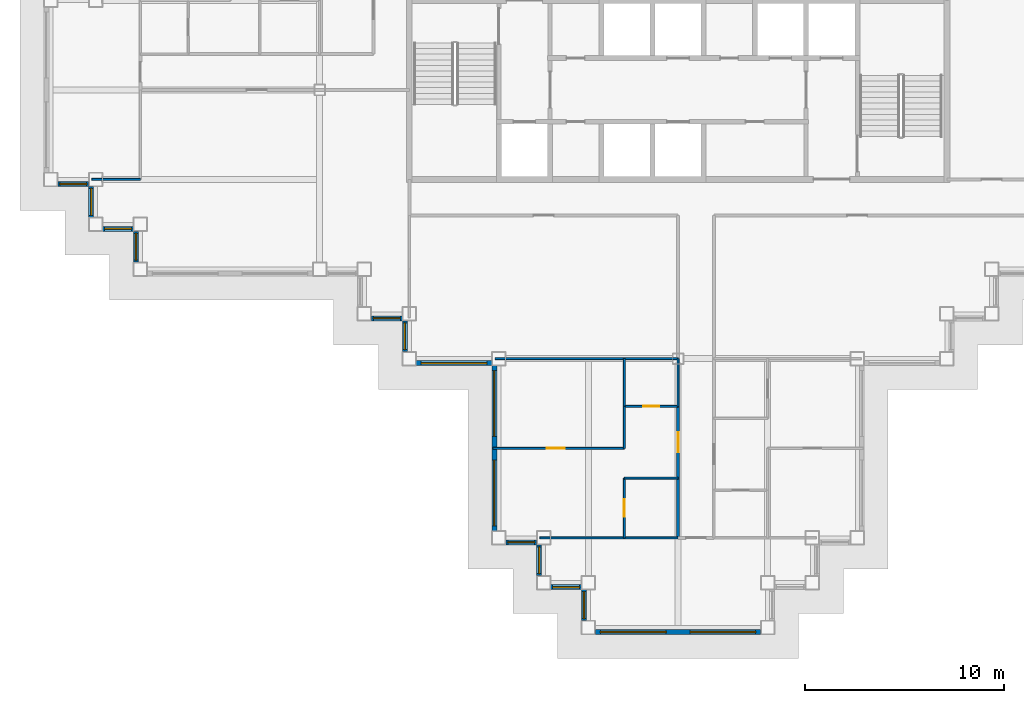
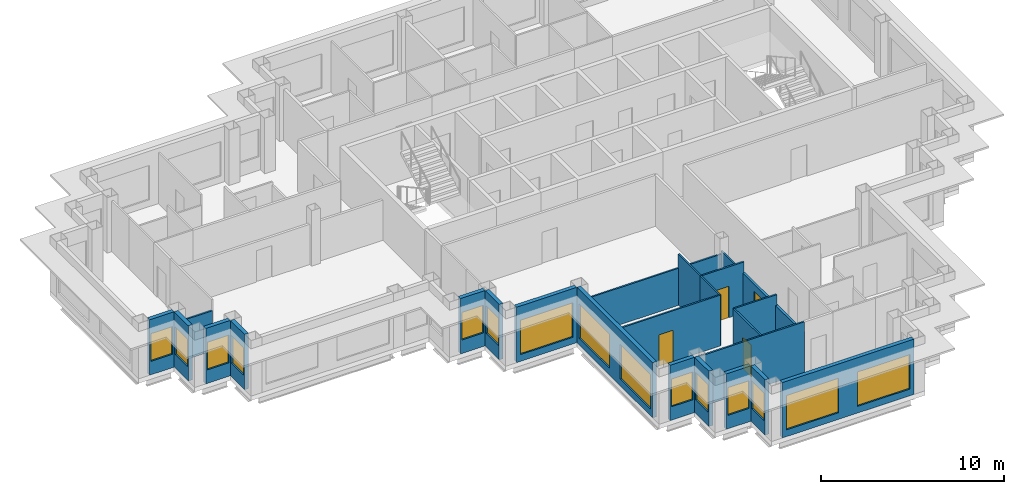
# One storey, part 2 of 11: 25 walls, 15 windows, 4 doors, 19 openings.
"""IFC4 building model written with IfcOpenShell, lengths in metres."""

from ifc_helpers import new_model, si_unit, direction, frame, frame_2d, origin, place, context, subcontext, project, spatial, rectangle, extrude, material, layer, layer_set, type_object, element, fill, save


model = new_model("IFC4")

# Units and contexts
model_context = context("Model", 3, precision=1e-05, world=origin(), true_north=direction((0.0, 1.0)))
body_context = subcontext(model_context, "Body", "Model", "MODEL_VIEW")
ifc_project = project(units=[si_unit("LENGTHUNIT", "METRE"), si_unit("AREAUNIT", "SQUARE_METRE"), si_unit("VOLUMEUNIT", "CUBIC_METRE"), si_unit("PLANEANGLEUNIT", "RADIAN"), si_unit("MASSUNIT", "GRAM", prefix="KILO")], contexts=[model_context])

# Site, building, storey
site_placement = place(None, origin())
site = spatial("IfcSite", under=ifc_project, at=site_placement, CompositionType="ELEMENT")
building_placement = place(site_placement, origin())
building = spatial("IfcBuilding", under=site, at=building_placement, Name="Caravel Reach Hotel and Residences", CompositionType="ELEMENT")
storey_placement = place(building_placement, frame((0.0, 0.0, 210.89990234375)))
storey = spatial("IfcBuildingStorey", under=building, at=storey_placement, Name="L53", CompositionType="ELEMENT", Elevation=210.89990234375)

# Wall, opening, door
ifc_material_1 = material(Name="Gypsum board on steel stud", Category="steel")
ifc_layer_1 = layer(ifc_material_1, 0.10009765625)
ifc_layer_set_1 = layer_set([ifc_layer_1], Name="Bathroom pod wall 100 mm")
wall_type_1 = type_object("IfcWallType", Name="Bathroom pod wall 100 mm", PredefinedType="PARTITIONING", material=ifc_layer_set_1)
wall_1_placement = place(storey_placement, frame((28.800048828125, 11.10009765625, 0.0), z_axis=(0.0, 0.0, 1.0), x_axis=(1.0, 0.0, 0.0)))
wall_1 = element("IfcWall", 1, at=wall_1_placement, inside=storey, type_object=wall_type_1, Name="L53 wall w064", PredefinedType="PARTITIONING", context=body_context, shape_type="SweptSolid", body=[
    extrude(rectangle(XDim=2.699951171875, YDim=0.10009765625, at=frame_2d((1.35009765625, 0.0))), origin(), (0.0, 0.0, 1.0), 3.400146484375),
])
opening_1_placement = place(wall_1_placement, frame((0.949951171875, 0.0, 0.0)))
opening_1 = element("IfcOpeningElement", 2, at=opening_1_placement, cuts=wall_1, Name="Opening D53-034", PredefinedType="OPENING", context=body_context, shape_type="SweptSolid", body=[
    extrude(rectangle(XDim=0.800048828125, YDim=2.10009765625, at=frame_2d((0.39990234375, 1.050048828125))), frame((0.0, 0.06005859375, 0.0), z_axis=(0.0, -1.0, 0.0), x_axis=(1.0, 0.0, 0.0)), (0.0, 0.0, 1.0), 0.1201171875),
])
ifc_material_2 = material(Name="Timber and steel door leaf", Category="steel")
door_type_1 = type_object("IfcDoorType", Name="Bathroom door 800 x 2100", OperationType="SINGLE_SWING_LEFT", PredefinedType="DOOR", material=ifc_material_2)
door_1_placement = place(opening_1_placement, origin())
door_1 = element("IfcDoor", 3, at=door_1_placement, inside=storey, type_object=door_type_1, Name="door D53-034", OperationType="SINGLE_SWING_LEFT", OverallHeight=2.10009765625, OverallWidth=0.800048828125, PredefinedType="DOOR", context=body_context, shape_type="SweptSolid", body=[
    extrude(rectangle(XDim=0.800048828125, YDim=2.10009765625, at=frame_2d((0.39990234375, 1.050048828125))), frame((0.0, 0.02490234375, 0.0), z_axis=(0.0, -1.0, 0.0), x_axis=(1.0, 0.0, 0.0)), (0.0, 0.0, 1.0), 0.050048828125),
])
fill(opening_1, door_1)

# Walls
wall_2_placement = place(storey_placement, frame((28.800048828125, 13.5, 0.0), z_axis=(0.0, 0.0, 1.0), x_axis=(1.0, 0.0, 0.0)))
element("IfcWall", 4, at=wall_2_placement, inside=storey, type_object=wall_type_1, Name="L53 wall w065", PredefinedType="PARTITIONING", context=body_context, shape_type="SweptSolid", body=[
    extrude(rectangle(XDim=2.699951171875, YDim=0.10009765625, at=frame_2d((1.35009765625, 0.0))), origin(), (0.0, 0.0, 1.0), 2.47998046875),
])
wall_3_placement = place(storey_placement, frame((28.800048828125, 11.10009765625, 0.0), z_axis=(0.0, 0.0, 1.0), x_axis=(0.0, 1.0, 0.0)))
element("IfcWall", 5, at=wall_3_placement, inside=storey, type_object=wall_type_1, Name="L53 wall w076", PredefinedType="PARTITIONING", context=body_context, shape_type="SweptSolid", body=[
    extrude(rectangle(XDim=2.39990234375, YDim=0.10009765625, at=frame_2d((1.199951171875, 0.0))), origin(), (0.0, 0.0, 1.0), 3.400146484375),
])
wall_4_placement = place(storey_placement, frame((31.5, 11.10009765625, 0.0), z_axis=(0.0, 0.0, 1.0), x_axis=(0.0, 1.0, 0.0)))
element("IfcWall", 6, at=wall_4_placement, inside=storey, type_object=wall_type_1, Name="L53 wall w077", PredefinedType="PARTITIONING", context=body_context, shape_type="SweptSolid", body=[
    extrude(rectangle(XDim=2.39990234375, YDim=0.10009765625, at=frame_2d((1.199951171875, 0.0))), origin(), (0.0, 0.0, 1.0), 2.68017578125),
])

# Wall, opening, door
ifc_material_3 = material(Name="Gypsum board on steel stud, fire-rated", Category="steel")
ifc_layer_2 = layer(ifc_material_3, 0.14990234375)
ifc_layer_set_2 = layer_set([ifc_layer_2], Name="Corridor wall 150 mm EI 60")
wall_type_2 = type_object("IfcWallType", Name="Corridor wall 150 mm EI 60", PredefinedType="PARTITIONING", material=ifc_layer_set_2)
wall_5_placement = place(storey_placement, frame((31.5, 4.5, 0.0), z_axis=(0.0, 0.0, 1.0), x_axis=(0.0, 1.0, 0.0)))
wall_5 = element("IfcWall", 7, at=wall_5_placement, inside=storey, type_object=wall_type_2, Name="L53 wall w020", PredefinedType="PARTITIONING", context=body_context, shape_type="SweptSolid", body=[
    extrude(rectangle(XDim=6.60009765625, YDim=0.14990234375, at=frame_2d((3.300048828125, 0.0))), origin(), (0.0, 0.0, 1.0), 2.68017578125),
])
opening_2_placement = place(wall_5_placement, frame((4.300048828125, 0.0, 0.0)))
opening_2 = element("IfcOpeningElement", 8, at=opening_2_placement, cuts=wall_5, Name="Opening D53-032", PredefinedType="OPENING", context=body_context, shape_type="SweptSolid", body=[
    extrude(rectangle(XDim=1.0, YDim=2.199951171875, at=frame_2d((0.5, 1.10009765625))), frame((0.0, 0.0849609375, 0.0), z_axis=(0.0, -1.0, 0.0), x_axis=(1.0, 0.0, 0.0)), (0.0, 0.0, 1.0), 0.169921875),
])
ifc_material_4 = material(Name="Steel fire door leaf", Category="steel")
door_type_2 = type_object("IfcDoorType", Name="Flat entrance door 1000 x 2200 EI 60", OperationType="SINGLE_SWING_LEFT", PredefinedType="DOOR", material=ifc_material_4)
door_2_placement = place(opening_2_placement, origin())
door_2 = element("IfcDoor", 9, at=door_2_placement, inside=storey, type_object=door_type_2, Name="door D53-032", OperationType="SINGLE_SWING_LEFT", OverallHeight=2.199951171875, OverallWidth=1.0, PredefinedType="DOOR", context=body_context, shape_type="SweptSolid", body=[
    extrude(rectangle(XDim=1.0, YDim=2.199951171875, at=frame_2d((0.5, 1.10009765625))), frame((0.0, 0.02490234375, 0.0), z_axis=(0.0, -1.0, 0.0), x_axis=(1.0, 0.0, 0.0)), (0.0, 0.0, 1.0), 0.050048828125),
])
fill(opening_2, door_2)

# Wall, opening, window
ifc_material_5 = material(Name="Insulated rainscreen wall, aluminium cladding", Category="aluminium")
ifc_layer_3 = layer(ifc_material_5, 0.25)
ifc_layer_set_3 = layer_set([ifc_layer_3], Name="EW1 Tower rainscreen wall")
wall_type_3 = type_object("IfcWallType", Name="EW1 Tower rainscreen wall", PredefinedType="SOLIDWALL", material=ifc_layer_set_3)
wall_6_placement = place(storey_placement, frame((0.35009765625, 22.27490234375, 0.0), z_axis=(0.0, 0.0, 1.0), x_axis=(1.0, 0.0, 0.0)))
wall_6 = element("IfcWall", 10, at=wall_6_placement, inside=storey, type_object=wall_type_3, Name="External wall L53 S21.1", PredefinedType="SOLIDWALL", context=body_context, shape_type="SweptSolid", body=[
    extrude(rectangle(XDim=1.5498046875, YDim=0.25, at=frame_2d((0.77490234375, 0.0))), origin(), (0.0, 0.0, 1.0), 3.7001953125),
])
opening_3_placement = place(wall_6_placement, frame((0.10009765625, 0.0, 0.89990234375)))
opening_3 = element("IfcOpeningElement", 11, at=opening_3_placement, cuts=wall_6, Name="Opening WN21", PredefinedType="OPENING", context=body_context, shape_type="SweptSolid", body=[
    extrude(rectangle(XDim=1.35009765625, YDim=1.85009765625, at=frame_2d((0.675048828125, 0.925048828125))), frame((0.0, 0.135009765625, 0.0), z_axis=(0.0, -1.0, 0.0), x_axis=(1.0, 0.0, 0.0)), (0.0, 0.0, 1.0), 0.27001953125),
])
ifc_material_6 = material(Name="Dark low-e glazing in black aluminium frame", Category="aluminium")
window_type_1 = type_object("IfcWindowType", Name="Residence bedroom window 1350 x 1850", PartitioningType="SINGLE_PANEL", PredefinedType="WINDOW", material=ifc_material_6)
window_1_placement = place(opening_3_placement, origin())
window_1 = element("IfcWindow", 12, at=window_1_placement, inside=storey, type_object=window_type_1, Name="Window L53 S21.1.1", OverallHeight=1.85009765625, OverallWidth=1.35009765625, PartitioningType="SINGLE_PANEL", PredefinedType="WINDOW", context=body_context, shape_type="SweptSolid", body=[
    extrude(rectangle(XDim=1.35009765625, YDim=1.85009765625, at=frame_2d((0.675048828125, 0.925048828125))), frame((0.0, 0.030029296875, 0.0), z_axis=(0.0, -1.0, 0.0), x_axis=(1.0, 0.0, 0.0)), (0.0, 0.0, 1.0), 0.06005859375),
])
fill(opening_3, window_1)

wall_7_placement = place(storey_placement, frame((2.02490234375, 22.14990234375, 0.0), z_axis=(0.0, 0.0, 1.0), x_axis=(0.0, -1.0, 0.0)))
wall_7 = element("IfcWall", 13, at=wall_7_placement, inside=storey, type_object=wall_type_3, Name="External wall L53 W22.1", PredefinedType="SOLIDWALL", context=body_context, shape_type="SweptSolid", body=[
    extrude(rectangle(XDim=1.5498046875, YDim=0.25, at=frame_2d((0.77490234375, 0.0))), origin(), (0.0, 0.0, 1.0), 3.7001953125),
])
opening_4_placement = place(wall_7_placement, frame((0.10009765625, 0.0, 0.89990234375)))
opening_4 = element("IfcOpeningElement", 14, at=opening_4_placement, cuts=wall_7, Name="Opening WN21", PredefinedType="OPENING", context=body_context, shape_type="SweptSolid", body=[
    extrude(rectangle(XDim=1.35009765625, YDim=1.85009765625, at=frame_2d((0.675048828125, 0.925048828125))), frame((0.0, 0.135009765625, 0.0), z_axis=(0.0, -1.0, 0.0), x_axis=(1.0, 0.0, 0.0)), (0.0, 0.0, 1.0), 0.27001953125),
])
window_2_placement = place(opening_4_placement, origin())
window_2 = element("IfcWindow", 15, at=window_2_placement, inside=storey, type_object=window_type_1, Name="Window L53 W22.1.1", OverallHeight=1.85009765625, OverallWidth=1.35009765625, PartitioningType="SINGLE_PANEL", PredefinedType="WINDOW", context=body_context, shape_type="SweptSolid", body=[
    extrude(rectangle(XDim=1.35009765625, YDim=1.85009765625, at=frame_2d((0.675048828125, 0.925048828125))), frame((0.0, 0.030029296875, 0.0), z_axis=(0.0, -1.0, 0.0), x_axis=(1.0, 0.0, 0.0)), (0.0, 0.0, 1.0), 0.06005859375),
])
fill(opening_4, window_2)

wall_8_placement = place(storey_placement, frame((2.60009765625, 20.02490234375, 0.0), z_axis=(0.0, 0.0, 1.0), x_axis=(1.0, 0.0, 0.0)))
wall_8 = element("IfcWall", 16, at=wall_8_placement, inside=storey, type_object=wall_type_3, Name="External wall L53 S23.1", PredefinedType="SOLIDWALL", context=body_context, shape_type="SweptSolid", body=[
    extrude(rectangle(XDim=1.5498046875, YDim=0.25, at=frame_2d((0.77490234375, 0.0))), origin(), (0.0, 0.0, 1.0), 3.7001953125),
])
opening_5_placement = place(wall_8_placement, frame((0.10009765625, 0.0, 0.89990234375)))
opening_5 = element("IfcOpeningElement", 17, at=opening_5_placement, cuts=wall_8, Name="Opening WN21", PredefinedType="OPENING", context=body_context, shape_type="SweptSolid", body=[
    extrude(rectangle(XDim=1.35009765625, YDim=1.85009765625, at=frame_2d((0.675048828125, 0.925048828125))), frame((0.0, 0.135009765625, 0.0), z_axis=(0.0, -1.0, 0.0), x_axis=(1.0, 0.0, 0.0)), (0.0, 0.0, 1.0), 0.27001953125),
])
window_3_placement = place(opening_5_placement, origin())
window_3 = element("IfcWindow", 18, at=window_3_placement, inside=storey, type_object=window_type_1, Name="Window L53 S23.1.1", OverallHeight=1.85009765625, OverallWidth=1.35009765625, PartitioningType="SINGLE_PANEL", PredefinedType="WINDOW", context=body_context, shape_type="SweptSolid", body=[
    extrude(rectangle(XDim=1.35009765625, YDim=1.85009765625, at=frame_2d((0.675048828125, 0.925048828125))), frame((0.0, 0.030029296875, 0.0), z_axis=(0.0, -1.0, 0.0), x_axis=(1.0, 0.0, 0.0)), (0.0, 0.0, 1.0), 0.06005859375),
])
fill(opening_5, window_3)

wall_9_placement = place(storey_placement, frame((4.27490234375, 19.89990234375, 0.0), z_axis=(0.0, 0.0, 1.0), x_axis=(0.0, -1.0, 0.0)))
wall_9 = element("IfcWall", 19, at=wall_9_placement, inside=storey, type_object=wall_type_3, Name="External wall L53 W24.1", PredefinedType="SOLIDWALL", context=body_context, shape_type="SweptSolid", body=[
    extrude(rectangle(XDim=1.5498046875, YDim=0.25, at=frame_2d((0.77490234375, 0.0))), origin(), (0.0, 0.0, 1.0), 3.7001953125),
])
opening_6_placement = place(wall_9_placement, frame((0.10009765625, 0.0, 0.89990234375)))
opening_6 = element("IfcOpeningElement", 20, at=opening_6_placement, cuts=wall_9, Name="Opening WN21", PredefinedType="OPENING", context=body_context, shape_type="SweptSolid", body=[
    extrude(rectangle(XDim=1.35009765625, YDim=1.85009765625, at=frame_2d((0.675048828125, 0.925048828125))), frame((0.0, 0.135009765625, 0.0), z_axis=(0.0, -1.0, 0.0), x_axis=(1.0, 0.0, 0.0)), (0.0, 0.0, 1.0), 0.27001953125),
])
window_4_placement = place(opening_6_placement, origin())
window_4 = element("IfcWindow", 21, at=window_4_placement, inside=storey, type_object=window_type_1, Name="Window L53 W24.1.1", OverallHeight=1.85009765625, OverallWidth=1.35009765625, PartitioningType="SINGLE_PANEL", PredefinedType="WINDOW", context=body_context, shape_type="SweptSolid", body=[
    extrude(rectangle(XDim=1.35009765625, YDim=1.85009765625, at=frame_2d((0.675048828125, 0.925048828125))), frame((0.0, 0.030029296875, 0.0), z_axis=(0.0, -1.0, 0.0), x_axis=(1.0, 0.0, 0.0)), (0.0, 0.0, 1.0), 0.06005859375),
])
fill(opening_6, window_4)

wall_10_placement = place(storey_placement, frame((16.10009765625, 15.52490234375, 0.0), z_axis=(0.0, 0.0, 1.0), x_axis=(1.0, 0.0, 0.0)))
wall_10 = element("IfcWall", 22, at=wall_10_placement, inside=storey, type_object=wall_type_3, Name="External wall L53 S27.1", PredefinedType="SOLIDWALL", context=body_context, shape_type="SweptSolid", body=[
    extrude(rectangle(XDim=1.5498046875, YDim=0.25, at=frame_2d((0.77490234375, 0.0))), origin(), (0.0, 0.0, 1.0), 3.7001953125),
])
opening_7_placement = place(wall_10_placement, frame((0.10009765625, 0.0, 0.89990234375)))
opening_7 = element("IfcOpeningElement", 23, at=opening_7_placement, cuts=wall_10, Name="Opening WN21", PredefinedType="OPENING", context=body_context, shape_type="SweptSolid", body=[
    extrude(rectangle(XDim=1.35009765625, YDim=1.85009765625, at=frame_2d((0.675048828125, 0.925048828125))), frame((0.0, 0.135009765625, 0.0), z_axis=(0.0, -1.0, 0.0), x_axis=(1.0, 0.0, 0.0)), (0.0, 0.0, 1.0), 0.27001953125),
])
window_5_placement = place(opening_7_placement, origin())
window_5 = element("IfcWindow", 24, at=window_5_placement, inside=storey, type_object=window_type_1, Name="Window L53 S27.1.1", OverallHeight=1.85009765625, OverallWidth=1.35009765625, PartitioningType="SINGLE_PANEL", PredefinedType="WINDOW", context=body_context, shape_type="SweptSolid", body=[
    extrude(rectangle(XDim=1.35009765625, YDim=1.85009765625, at=frame_2d((0.675048828125, 0.925048828125))), frame((0.0, 0.030029296875, 0.0), z_axis=(0.0, -1.0, 0.0), x_axis=(1.0, 0.0, 0.0)), (0.0, 0.0, 1.0), 0.06005859375),
])
fill(opening_7, window_5)

wall_11_placement = place(storey_placement, frame((17.77490234375, 15.39990234375, 0.0), z_axis=(0.0, 0.0, 1.0), x_axis=(0.0, -1.0, 0.0)))
wall_11 = element("IfcWall", 25, at=wall_11_placement, inside=storey, type_object=wall_type_3, Name="External wall L53 W28.1", PredefinedType="SOLIDWALL", context=body_context, shape_type="SweptSolid", body=[
    extrude(rectangle(XDim=1.5498046875, YDim=0.25, at=frame_2d((0.77490234375, 0.0))), origin(), (0.0, 0.0, 1.0), 3.7001953125),
])
opening_8_placement = place(wall_11_placement, frame((0.10009765625, 0.0, 0.89990234375)))
opening_8 = element("IfcOpeningElement", 26, at=opening_8_placement, cuts=wall_11, Name="Opening WN21", PredefinedType="OPENING", context=body_context, shape_type="SweptSolid", body=[
    extrude(rectangle(XDim=1.35009765625, YDim=1.85009765625, at=frame_2d((0.675048828125, 0.925048828125))), frame((0.0, 0.135009765625, 0.0), z_axis=(0.0, -1.0, 0.0), x_axis=(1.0, 0.0, 0.0)), (0.0, 0.0, 1.0), 0.27001953125),
])
window_6_placement = place(opening_8_placement, origin())
window_6 = element("IfcWindow", 27, at=window_6_placement, inside=storey, type_object=window_type_1, Name="Window L53 W28.1.1", OverallHeight=1.85009765625, OverallWidth=1.35009765625, PartitioningType="SINGLE_PANEL", PredefinedType="WINDOW", context=body_context, shape_type="SweptSolid", body=[
    extrude(rectangle(XDim=1.35009765625, YDim=1.85009765625, at=frame_2d((0.675048828125, 0.925048828125))), frame((0.0, 0.030029296875, 0.0), z_axis=(0.0, -1.0, 0.0), x_axis=(1.0, 0.0, 0.0)), (0.0, 0.0, 1.0), 0.06005859375),
])
fill(opening_8, window_6)

wall_12_placement = place(storey_placement, frame((18.35009765625, 13.27490234375, 0.0), z_axis=(0.0, 0.0, 1.0), x_axis=(1.0, 0.0, 0.0)))
wall_12 = element("IfcWall", 28, at=wall_12_placement, inside=storey, type_object=wall_type_3, Name="External wall L53 S29.1", PredefinedType="SOLIDWALL", context=body_context, shape_type="SweptSolid", body=[
    extrude(rectangle(XDim=3.7998046875, YDim=0.25, at=frame_2d((1.89990234375, 0.0))), origin(), (0.0, 0.0, 1.0), 3.7001953125),
])
opening_9_placement = place(wall_12_placement, frame((0.25, 0.0, 0.449951171875)))
opening_9 = element("IfcOpeningElement", 29, at=opening_9_placement, cuts=wall_12, Name="Opening WN15", PredefinedType="OPENING", context=body_context, shape_type="SweptSolid", body=[
    extrude(rectangle(XDim=3.300048828125, YDim=2.300048828125, at=frame_2d((1.64990234375, 1.14990234375))), frame((0.0, 0.135009765625, 0.0), z_axis=(0.0, -1.0, 0.0), x_axis=(1.0, 0.0, 0.0)), (0.0, 0.0, 1.0), 0.27001953125),
])
ifc_material_7 = material(Name="Dark low-e glazing in black aluminium frame", Category="aluminium")
window_type_2 = type_object("IfcWindowType", Name="Residence living window 3300 x 2300", PartitioningType="SINGLE_PANEL", PredefinedType="WINDOW", material=ifc_material_7)
window_7_placement = place(opening_9_placement, origin())
window_7 = element("IfcWindow", 30, at=window_7_placement, inside=storey, type_object=window_type_2, Name="Window L53 S29.1.1", OverallHeight=2.300048828125, OverallWidth=3.300048828125, PartitioningType="SINGLE_PANEL", PredefinedType="WINDOW", context=body_context, shape_type="SweptSolid", body=[
    extrude(rectangle(XDim=3.300048828125, YDim=2.300048828125, at=frame_2d((1.64990234375, 1.14990234375))), frame((0.0, 0.030029296875, 0.0), z_axis=(0.0, -1.0, 0.0), x_axis=(1.0, 0.0, 0.0)), (0.0, 0.0, 1.0), 0.06005859375),
])
fill(opening_9, window_7)

# Wall, openings, windows
wall_13_placement = place(storey_placement, frame((22.27490234375, 13.14990234375, 0.0), z_axis=(0.0, 0.0, 1.0), x_axis=(0.0, -1.0, 0.0)))
wall_13 = element("IfcWall", 31, at=wall_13_placement, inside=storey, type_object=wall_type_3, Name="External wall L53 W30.1", PredefinedType="SOLIDWALL", context=body_context, shape_type="SweptSolid", body=[
    extrude(rectangle(XDim=8.2998046875, YDim=0.25, at=frame_2d((4.14990234375, 0.0))), origin(), (0.0, 0.0, 1.0), 3.7001953125),
])
opening_10_placement = place(wall_13_placement, frame((0.25, 0.0, 0.449951171875)))
opening_10 = element("IfcOpeningElement", 32, at=opening_10_placement, cuts=wall_13, Name="Opening WN15", PredefinedType="OPENING", context=body_context, shape_type="SweptSolid", body=[
    extrude(rectangle(XDim=3.300048828125, YDim=2.300048828125, at=frame_2d((1.64990234375, 1.14990234375))), frame((0.0, 0.135009765625, 0.0), z_axis=(0.0, -1.0, 0.0), x_axis=(1.0, 0.0, 0.0)), (0.0, 0.0, 1.0), 0.27001953125),
])
opening_11_placement = place(wall_13_placement, frame((4.75, 0.0, 0.449951171875)))
opening_11 = element("IfcOpeningElement", 33, at=opening_11_placement, cuts=wall_13, Name="Opening WN15", PredefinedType="OPENING", context=body_context, shape_type="SweptSolid", body=[
    extrude(rectangle(XDim=3.300048828125, YDim=2.300048828125, at=frame_2d((1.64990234375, 1.14990234375))), frame((0.0, 0.135009765625, 0.0), z_axis=(0.0, -1.0, 0.0), x_axis=(1.0, 0.0, 0.0)), (0.0, 0.0, 1.0), 0.27001953125),
])
window_8_placement = place(opening_10_placement, origin())
window_8 = element("IfcWindow", 34, at=window_8_placement, inside=storey, type_object=window_type_2, Name="Window L53 W30.1.1", OverallHeight=2.300048828125, OverallWidth=3.300048828125, PartitioningType="SINGLE_PANEL", PredefinedType="WINDOW", context=body_context, shape_type="SweptSolid", body=[
    extrude(rectangle(XDim=3.300048828125, YDim=2.300048828125, at=frame_2d((1.64990234375, 1.14990234375))), frame((0.0, 0.030029296875, 0.0), z_axis=(0.0, -1.0, 0.0), x_axis=(1.0, 0.0, 0.0)), (0.0, 0.0, 1.0), 0.06005859375),
])
fill(opening_10, window_8)
window_9_placement = place(opening_11_placement, origin())
window_9 = element("IfcWindow", 35, at=window_9_placement, inside=storey, type_object=window_type_2, Name="Window L53 W30.1.2", OverallHeight=2.300048828125, OverallWidth=3.300048828125, PartitioningType="SINGLE_PANEL", PredefinedType="WINDOW", context=body_context, shape_type="SweptSolid", body=[
    extrude(rectangle(XDim=3.300048828125, YDim=2.300048828125, at=frame_2d((1.64990234375, 1.14990234375))), frame((0.0, 0.030029296875, 0.0), z_axis=(0.0, -1.0, 0.0), x_axis=(1.0, 0.0, 0.0)), (0.0, 0.0, 1.0), 0.06005859375),
])
fill(opening_11, window_9)

# Wall, opening, window
wall_14_placement = place(storey_placement, frame((22.85009765625, 4.27490234375, 0.0), z_axis=(0.0, 0.0, 1.0), x_axis=(1.0, 0.0, 0.0)))
wall_14 = element("IfcWall", 36, at=wall_14_placement, inside=storey, type_object=wall_type_3, Name="External wall L53 S31.1", PredefinedType="SOLIDWALL", context=body_context, shape_type="SweptSolid", body=[
    extrude(rectangle(XDim=1.5498046875, YDim=0.25, at=frame_2d((0.77490234375, 0.0))), origin(), (0.0, 0.0, 1.0), 3.7001953125),
])
opening_12_placement = place(wall_14_placement, frame((0.10009765625, 0.0, 0.89990234375)))
opening_12 = element("IfcOpeningElement", 37, at=opening_12_placement, cuts=wall_14, Name="Opening WN21", PredefinedType="OPENING", context=body_context, shape_type="SweptSolid", body=[
    extrude(rectangle(XDim=1.35009765625, YDim=1.85009765625, at=frame_2d((0.675048828125, 0.925048828125))), frame((0.0, 0.135009765625, 0.0), z_axis=(0.0, -1.0, 0.0), x_axis=(1.0, 0.0, 0.0)), (0.0, 0.0, 1.0), 0.27001953125),
])
window_10_placement = place(opening_12_placement, origin())
window_10 = element("IfcWindow", 38, at=window_10_placement, inside=storey, type_object=window_type_1, Name="Window L53 S31.1.1", OverallHeight=1.85009765625, OverallWidth=1.35009765625, PartitioningType="SINGLE_PANEL", PredefinedType="WINDOW", context=body_context, shape_type="SweptSolid", body=[
    extrude(rectangle(XDim=1.35009765625, YDim=1.85009765625, at=frame_2d((0.675048828125, 0.925048828125))), frame((0.0, 0.030029296875, 0.0), z_axis=(0.0, -1.0, 0.0), x_axis=(1.0, 0.0, 0.0)), (0.0, 0.0, 1.0), 0.06005859375),
])
fill(opening_12, window_10)

wall_15_placement = place(storey_placement, frame((24.52490234375, 4.14990234375, 0.0), z_axis=(0.0, 0.0, 1.0), x_axis=(0.0, -1.0, 0.0)))
wall_15 = element("IfcWall", 39, at=wall_15_placement, inside=storey, type_object=wall_type_3, Name="External wall L53 W32.1", PredefinedType="SOLIDWALL", context=body_context, shape_type="SweptSolid", body=[
    extrude(rectangle(XDim=1.5498046875, YDim=0.25, at=frame_2d((0.77490234375, 0.0))), origin(), (0.0, 0.0, 1.0), 3.7001953125),
])
opening_13_placement = place(wall_15_placement, frame((0.10009765625, 0.0, 0.89990234375)))
opening_13 = element("IfcOpeningElement", 40, at=opening_13_placement, cuts=wall_15, Name="Opening WN21", PredefinedType="OPENING", context=body_context, shape_type="SweptSolid", body=[
    extrude(rectangle(XDim=1.35009765625, YDim=1.85009765625, at=frame_2d((0.675048828125, 0.925048828125))), frame((0.0, 0.135009765625, 0.0), z_axis=(0.0, -1.0, 0.0), x_axis=(1.0, 0.0, 0.0)), (0.0, 0.0, 1.0), 0.27001953125),
])
window_11_placement = place(opening_13_placement, origin())
window_11 = element("IfcWindow", 41, at=window_11_placement, inside=storey, type_object=window_type_1, Name="Window L53 W32.1.1", OverallHeight=1.85009765625, OverallWidth=1.35009765625, PartitioningType="SINGLE_PANEL", PredefinedType="WINDOW", context=body_context, shape_type="SweptSolid", body=[
    extrude(rectangle(XDim=1.35009765625, YDim=1.85009765625, at=frame_2d((0.675048828125, 0.925048828125))), frame((0.0, 0.030029296875, 0.0), z_axis=(0.0, -1.0, 0.0), x_axis=(1.0, 0.0, 0.0)), (0.0, 0.0, 1.0), 0.06005859375),
])
fill(opening_13, window_11)

wall_16_placement = place(storey_placement, frame((25.10009765625, 2.02490234375, 0.0), z_axis=(0.0, 0.0, 1.0), x_axis=(1.0, 0.0, 0.0)))
wall_16 = element("IfcWall", 42, at=wall_16_placement, inside=storey, type_object=wall_type_3, Name="External wall L53 S33.1", PredefinedType="SOLIDWALL", context=body_context, shape_type="SweptSolid", body=[
    extrude(rectangle(XDim=1.5498046875, YDim=0.25, at=frame_2d((0.77490234375, 0.0))), origin(), (0.0, 0.0, 1.0), 3.7001953125),
])
opening_14_placement = place(wall_16_placement, frame((0.10009765625, 0.0, 0.89990234375)))
opening_14 = element("IfcOpeningElement", 43, at=opening_14_placement, cuts=wall_16, Name="Opening WN21", PredefinedType="OPENING", context=body_context, shape_type="SweptSolid", body=[
    extrude(rectangle(XDim=1.35009765625, YDim=1.85009765625, at=frame_2d((0.675048828125, 0.925048828125))), frame((0.0, 0.135009765625, 0.0), z_axis=(0.0, -1.0, 0.0), x_axis=(1.0, 0.0, 0.0)), (0.0, 0.0, 1.0), 0.27001953125),
])
window_12_placement = place(opening_14_placement, origin())
window_12 = element("IfcWindow", 44, at=window_12_placement, inside=storey, type_object=window_type_1, Name="Window L53 S33.1.1", OverallHeight=1.85009765625, OverallWidth=1.35009765625, PartitioningType="SINGLE_PANEL", PredefinedType="WINDOW", context=body_context, shape_type="SweptSolid", body=[
    extrude(rectangle(XDim=1.35009765625, YDim=1.85009765625, at=frame_2d((0.675048828125, 0.925048828125))), frame((0.0, 0.030029296875, 0.0), z_axis=(0.0, -1.0, 0.0), x_axis=(1.0, 0.0, 0.0)), (0.0, 0.0, 1.0), 0.06005859375),
])
fill(opening_14, window_12)

wall_17_placement = place(storey_placement, frame((26.77490234375, 1.89990234375, 0.0), z_axis=(0.0, 0.0, 1.0), x_axis=(0.0, -1.0, 0.0)))
wall_17 = element("IfcWall", 45, at=wall_17_placement, inside=storey, type_object=wall_type_3, Name="External wall L53 W34.1", PredefinedType="SOLIDWALL", context=body_context, shape_type="SweptSolid", body=[
    extrude(rectangle(XDim=1.5498046875, YDim=0.25, at=frame_2d((0.77490234375, 0.0))), origin(), (0.0, 0.0, 1.0), 3.7001953125),
])
opening_15_placement = place(wall_17_placement, frame((0.10009765625, 0.0, 0.89990234375)))
opening_15 = element("IfcOpeningElement", 46, at=opening_15_placement, cuts=wall_17, Name="Opening WN21", PredefinedType="OPENING", context=body_context, shape_type="SweptSolid", body=[
    extrude(rectangle(XDim=1.35009765625, YDim=1.85009765625, at=frame_2d((0.675048828125, 0.925048828125))), frame((0.0, 0.135009765625, 0.0), z_axis=(0.0, -1.0, 0.0), x_axis=(1.0, 0.0, 0.0)), (0.0, 0.0, 1.0), 0.27001953125),
])
window_13_placement = place(opening_15_placement, origin())
window_13 = element("IfcWindow", 47, at=window_13_placement, inside=storey, type_object=window_type_1, Name="Window L53 W34.1.1", OverallHeight=1.85009765625, OverallWidth=1.35009765625, PartitioningType="SINGLE_PANEL", PredefinedType="WINDOW", context=body_context, shape_type="SweptSolid", body=[
    extrude(rectangle(XDim=1.35009765625, YDim=1.85009765625, at=frame_2d((0.675048828125, 0.925048828125))), frame((0.0, 0.030029296875, 0.0), z_axis=(0.0, -1.0, 0.0), x_axis=(1.0, 0.0, 0.0)), (0.0, 0.0, 1.0), 0.06005859375),
])
fill(opening_15, window_13)

# Wall, openings, windows
wall_18_placement = place(storey_placement, frame((27.35009765625, -0.22509765625, 0.0), z_axis=(0.0, 0.0, 1.0), x_axis=(1.0, 0.0, 0.0)))
wall_18 = element("IfcWall", 48, at=wall_18_placement, inside=storey, type_object=wall_type_3, Name="External wall L53 S35.1", PredefinedType="SOLIDWALL", context=body_context, shape_type="SweptSolid", body=[
    extrude(rectangle(XDim=8.2998046875, YDim=0.25, at=frame_2d((4.14990234375, 0.0))), origin(), (0.0, 0.0, 1.0), 3.7001953125),
])
opening_16_placement = place(wall_18_placement, frame((0.25, 0.0, 0.449951171875)))
opening_16 = element("IfcOpeningElement", 49, at=opening_16_placement, cuts=wall_18, Name="Opening WN15", PredefinedType="OPENING", context=body_context, shape_type="SweptSolid", body=[
    extrude(rectangle(XDim=3.300048828125, YDim=2.300048828125, at=frame_2d((1.64990234375, 1.14990234375))), frame((0.0, 0.135009765625, 0.0), z_axis=(0.0, -1.0, 0.0), x_axis=(1.0, 0.0, 0.0)), (0.0, 0.0, 1.0), 0.27001953125),
])
opening_17_placement = place(wall_18_placement, frame((4.75, 0.0, 0.449951171875)))
opening_17 = element("IfcOpeningElement", 50, at=opening_17_placement, cuts=wall_18, Name="Opening WN15", PredefinedType="OPENING", context=body_context, shape_type="SweptSolid", body=[
    extrude(rectangle(XDim=3.300048828125, YDim=2.300048828125, at=frame_2d((1.64990234375, 1.14990234375))), frame((0.0, 0.135009765625, 0.0), z_axis=(0.0, -1.0, 0.0), x_axis=(1.0, 0.0, 0.0)), (0.0, 0.0, 1.0), 0.27001953125),
])
window_14_placement = place(opening_16_placement, origin())
window_14 = element("IfcWindow", 51, at=window_14_placement, inside=storey, type_object=window_type_2, Name="Window L53 S35.1.1", OverallHeight=2.300048828125, OverallWidth=3.300048828125, PartitioningType="SINGLE_PANEL", PredefinedType="WINDOW", context=body_context, shape_type="SweptSolid", body=[
    extrude(rectangle(XDim=3.300048828125, YDim=2.300048828125, at=frame_2d((1.64990234375, 1.14990234375))), frame((0.0, 0.030029296875, 0.0), z_axis=(0.0, -1.0, 0.0), x_axis=(1.0, 0.0, 0.0)), (0.0, 0.0, 1.0), 0.06005859375),
])
fill(opening_16, window_14)
window_15_placement = place(opening_17_placement, origin())
window_15 = element("IfcWindow", 52, at=window_15_placement, inside=storey, type_object=window_type_2, Name="Window L53 S35.1.2", OverallHeight=2.300048828125, OverallWidth=3.300048828125, PartitioningType="SINGLE_PANEL", PredefinedType="WINDOW", context=body_context, shape_type="SweptSolid", body=[
    extrude(rectangle(XDim=3.300048828125, YDim=2.300048828125, at=frame_2d((1.64990234375, 1.14990234375))), frame((0.0, 0.030029296875, 0.0), z_axis=(0.0, -1.0, 0.0), x_axis=(1.0, 0.0, 0.0)), (0.0, 0.0, 1.0), 0.06005859375),
])
fill(opening_17, window_15)

# Walls
ifc_material_8 = material(Name="Gypsum board on steel stud", Category="steel")
ifc_layer_4 = layer(ifc_material_8, 0.10009765625)
ifc_layer_set_4 = layer_set([ifc_layer_4], Name="Partition 100 mm")
wall_type_4 = type_object("IfcWallType", Name="Partition 100 mm", PredefinedType="PARTITIONING", material=ifc_layer_set_4)
wall_19_placement = place(storey_placement, frame((22.31005859375, 13.5, 0.0), z_axis=(0.0, 0.0, 1.0), x_axis=(1.0, 0.0, 0.0)))
element("IfcWall", 53, at=wall_19_placement, inside=storey, type_object=wall_type_4, Name="L53 wall w030", PredefinedType="PARTITIONING", context=body_context, shape_type="SweptSolid", body=[
    extrude(rectangle(XDim=6.489990234375, YDim=0.10009765625, at=frame_2d((3.2451171875, 0.0))), origin(), (0.0, 0.0, 1.0), 2.47998046875),
])
wall_20_placement = place(storey_placement, frame((2.06005859375, 22.5, 0.0), z_axis=(0.0, 0.0, 1.0), x_axis=(1.0, 0.0, 0.0)))
element("IfcWall", 54, at=wall_20_placement, inside=storey, type_object=wall_type_4, Name="L53 wall w031", PredefinedType="PARTITIONING", context=body_context, shape_type="SweptSolid", body=[
    extrude(rectangle(XDim=2.43896484375, YDim=0.10009765625, at=frame_2d((1.219482421875, 0.0))), origin(), (0.0, 0.0, 1.0), 2.68017578125),
])
wall_21_placement = place(storey_placement, frame((24.56005859375, 4.5, 0.0), z_axis=(0.0, 0.0, 1.0), x_axis=(1.0, 0.0, 0.0)))
element("IfcWall", 55, at=wall_21_placement, inside=storey, type_object=wall_type_4, Name="L53 wall w039", PredefinedType="PARTITIONING", context=body_context, shape_type="SweptSolid", body=[
    extrude(rectangle(XDim=6.93994140625, YDim=0.10009765625, at=frame_2d((3.469970703125, 0.0))), origin(), (0.0, 0.0, 1.0), 3.400146484375),
])
wall_22_placement = place(storey_placement, frame((28.800048828125, 7.5, 0.0), z_axis=(0.0, 0.0, 1.0), x_axis=(1.0, 0.0, 0.0)))
element("IfcWall", 56, at=wall_22_placement, inside=storey, type_object=wall_type_4, Name="L53 wall w041", PredefinedType="PARTITIONING", context=body_context, shape_type="SweptSolid", body=[
    extrude(rectangle(XDim=2.699951171875, YDim=0.10009765625, at=frame_2d((1.35009765625, 0.0))), origin(), (0.0, 0.0, 1.0), 3.400146484375),
])

# Wall, opening, door
wall_23_placement = place(storey_placement, frame((22.2099609375, 9.0, 0.0), z_axis=(0.0, 0.0, 1.0), x_axis=(1.0, 0.0, 0.0)))
wall_23 = element("IfcWall", 57, at=wall_23_placement, inside=storey, type_object=wall_type_4, Name="L53 wall w043", PredefinedType="PARTITIONING", context=body_context, shape_type="SweptSolid", body=[
    extrude(rectangle(XDim=6.590087890625, YDim=0.10009765625, at=frame_2d((3.294921875, 0.0))), origin(), (0.0, 0.0, 1.0), 3.400146484375),
])
opening_18_placement = place(wall_23_placement, frame((2.699951171875, 0.0, 0.0)))
opening_18 = element("IfcOpeningElement", 58, at=opening_18_placement, cuts=wall_23, Name="Opening D53-035", PredefinedType="OPENING", context=body_context, shape_type="SweptSolid", body=[
    extrude(rectangle(XDim=0.89990234375, YDim=2.10009765625, at=frame_2d((0.449951171875, 1.050048828125))), frame((0.0, 0.06005859375, 0.0), z_axis=(0.0, -1.0, 0.0), x_axis=(1.0, 0.0, 0.0)), (0.0, 0.0, 1.0), 0.1201171875),
])
ifc_material_9 = material(Name="Timber and steel door leaf", Category="steel")
door_type_3 = type_object("IfcDoorType", Name="Door 900 x 2100 timber", OperationType="SINGLE_SWING_LEFT", PredefinedType="DOOR", material=ifc_material_9)
door_3_placement = place(opening_18_placement, origin())
door_3 = element("IfcDoor", 59, at=door_3_placement, inside=storey, type_object=door_type_3, Name="door D53-035", OperationType="SINGLE_SWING_LEFT", OverallHeight=2.10009765625, OverallWidth=0.89990234375, PredefinedType="DOOR", context=body_context, shape_type="SweptSolid", body=[
    extrude(rectangle(XDim=0.89990234375, YDim=2.10009765625, at=frame_2d((0.449951171875, 1.050048828125))), frame((0.0, 0.02490234375, 0.0), z_axis=(0.0, -1.0, 0.0), x_axis=(1.0, 0.0, 0.0)), (0.0, 0.0, 1.0), 0.050048828125),
])
fill(opening_18, door_3)

# Wall
wall_24_placement = place(storey_placement, frame((28.800048828125, 9.0, 0.0), z_axis=(0.0, 0.0, 1.0), x_axis=(0.0, 1.0, 0.0)))
element("IfcWall", 60, at=wall_24_placement, inside=storey, type_object=wall_type_4, Name="L53 wall w050", PredefinedType="PARTITIONING", context=body_context, shape_type="SweptSolid", body=[
    extrude(rectangle(XDim=2.10009765625, YDim=0.10009765625, at=frame_2d((1.050048828125, 0.0))), origin(), (0.0, 0.0, 1.0), 3.400146484375),
])

# Wall, opening, door
wall_25_placement = place(storey_placement, frame((28.800048828125, 4.5, 0.0), z_axis=(0.0, 0.0, 1.0), x_axis=(0.0, 1.0, 0.0)))
wall_25 = element("IfcWall", 61, at=wall_25_placement, inside=storey, type_object=wall_type_4, Name="L53 wall w051", PredefinedType="PARTITIONING", context=body_context, shape_type="SweptSolid", body=[
    extrude(rectangle(XDim=3.0, YDim=0.10009765625, at=frame_2d((1.5, 0.0))), origin(), (0.0, 0.0, 1.0), 3.400146484375),
])
opening_19_placement = place(wall_25_placement, frame((1.050048828125, 0.0, 0.0)))
opening_19 = element("IfcOpeningElement", 62, at=opening_19_placement, cuts=wall_25, Name="Opening D53-033", PredefinedType="OPENING", context=body_context, shape_type="SweptSolid", body=[
    extrude(rectangle(XDim=0.89990234375, YDim=2.10009765625, at=frame_2d((0.449951171875, 1.050048828125))), frame((0.0, 0.06005859375, 0.0), z_axis=(0.0, -1.0, 0.0), x_axis=(1.0, 0.0, 0.0)), (0.0, 0.0, 1.0), 0.1201171875),
])
door_4_placement = place(opening_19_placement, origin())
door_4 = element("IfcDoor", 63, at=door_4_placement, inside=storey, type_object=door_type_3, Name="door D53-033", OperationType="SINGLE_SWING_RIGHT", OverallHeight=2.10009765625, OverallWidth=0.89990234375, PredefinedType="DOOR", context=body_context, shape_type="SweptSolid", body=[
    extrude(rectangle(XDim=0.89990234375, YDim=2.10009765625, at=frame_2d((0.449951171875, 1.050048828125))), frame((0.0, 0.02490234375, 0.0), z_axis=(0.0, -1.0, 0.0), x_axis=(1.0, 0.0, 0.0)), (0.0, 0.0, 1.0), 0.050048828125),
])
fill(opening_19, door_4)

save(model, "model.ifc")
